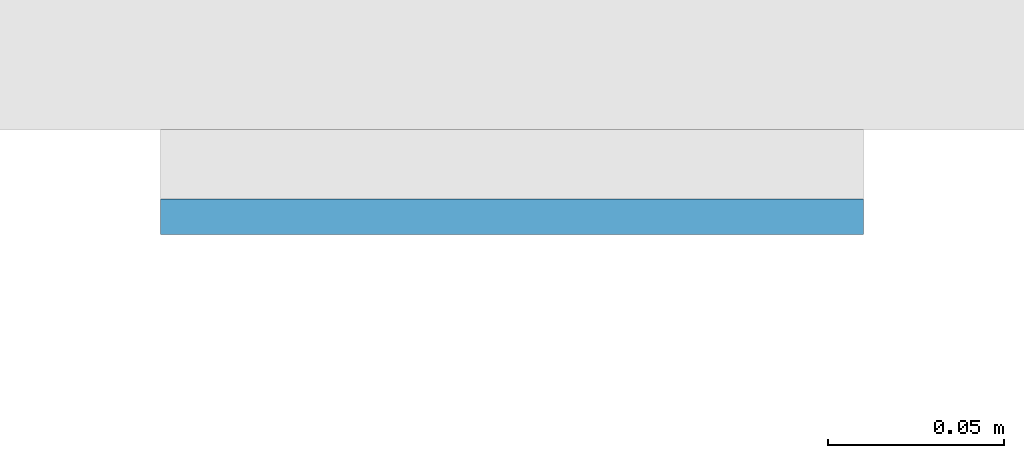
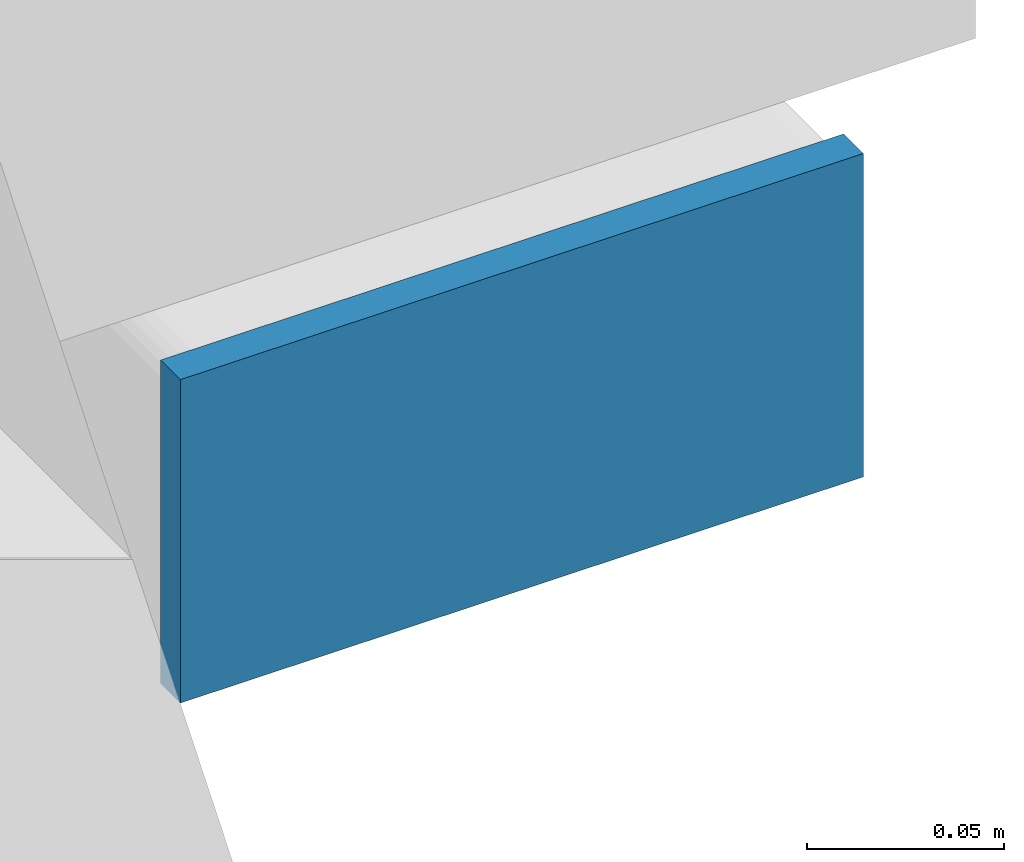
# One storey, part 10 of 20: 1 plate.
"""IFC4 building model written with IfcOpenShell, lengths in metres."""

from ifc_helpers import new_model, si_unit, direction, frame, origin, origin_2d, place, context, subcontext, project, spatial, rectangle, extrude, material, layer, layer_set, type_object, element, save


model = new_model("IFC4")

# Units and contexts
model_context = context("Model", 3, precision=1e-05, world=origin(), true_north=direction((0.0, 1.0)))
body_context = subcontext(model_context, "Body", "Model", "MODEL_VIEW")
ifc_project = project(units=[si_unit("LENGTHUNIT", "METRE"), si_unit("AREAUNIT", "SQUARE_METRE"), si_unit("VOLUMEUNIT", "CUBIC_METRE"), si_unit("PLANEANGLEUNIT", "RADIAN"), si_unit("MASSUNIT", "GRAM", prefix="KILO")], contexts=[model_context])

# Site, building, storey
site_placement = place(None, origin())
site = spatial("IfcSite", under=ifc_project, at=site_placement, CompositionType="ELEMENT")
building_placement = place(site_placement, origin())
building = spatial("IfcBuilding", under=site, at=building_placement, Name="Cleftline Residences", CompositionType="ELEMENT")
storey_placement = place(building_placement, frame((0.0, 0.0, 51.199951171875)))
storey = spatial("IfcBuildingStorey", under=building, at=storey_placement, Name="L12", CompositionType="ELEMENT", Elevation=51.199951171875)

# Plate
ifc_material = material(Name="Steel S355, hot-dip galvanised", Category="steel")
ifc_layer = layer(ifc_material, 0.010009765625)
ifc_layer_set = layer_set([ifc_layer], Name="BAGUETTE CARRIER END PLATE 200X100X10")
plate_type = type_object("IfcPlateType", Name="BAGUETTE CARRIER END PLATE 200X100X10", PredefinedType="USERDEFINED", material=ifc_layer_set)
plate_placement = place(storey_placement, frame((66.85009765625, 3.695068359375, -0.10009765625), z_axis=(0.0, 0.0, 1.0), x_axis=(1.0, 0.0, 0.0)))
element("IfcPlate", 1, at=plate_placement, inside=storey, type_object=plate_type, Name="Baguette carrier end plate", ObjectType="BAGUETTE CARRIER END PLATE", PredefinedType="USERDEFINED", context=body_context, shape_type="SweptSolid", body=[
    extrude(rectangle(XDim=0.199951171875, YDim=0.010009765625, at=origin_2d()), origin(), (0.0, 0.0, 1.0), 0.10009765625),
])

save(model, "model.ifc")
